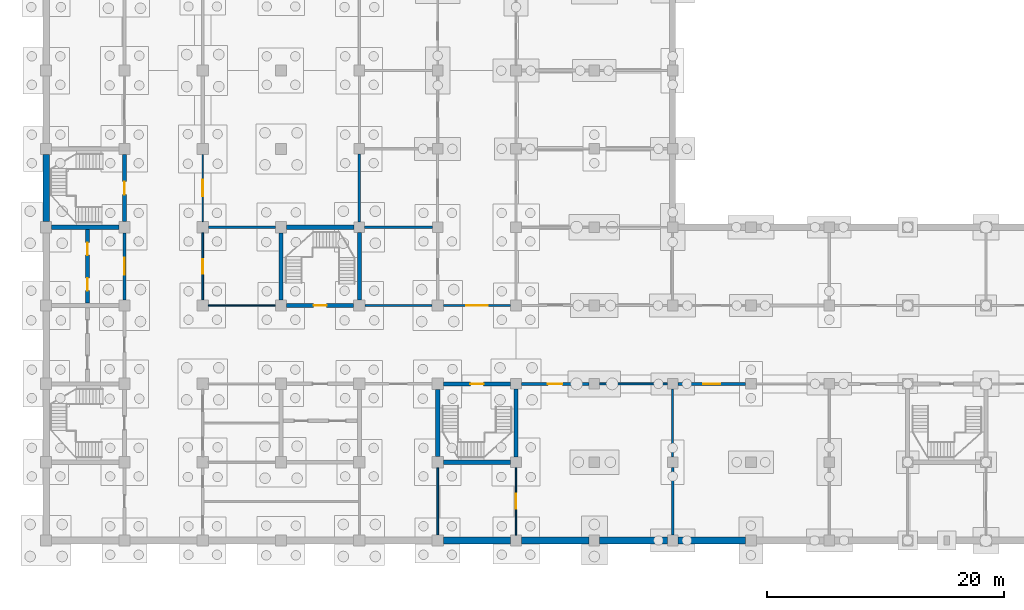
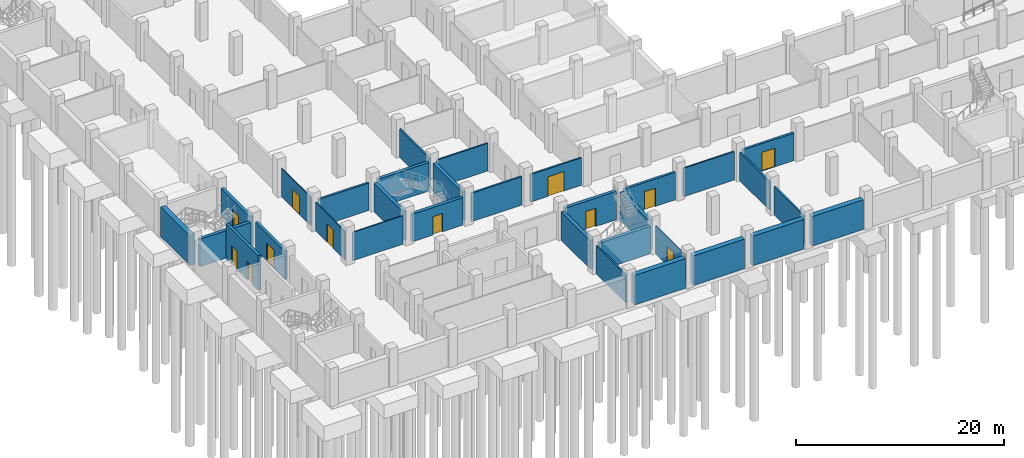
# One storey, part 8 of 18: 32 walls, 12 doors, 12 openings.
"""IFC4 building model written with IfcOpenShell, lengths in metres."""

from ifc_helpers import new_model, si_unit, direction, frame, frame_2d, origin, place, context, subcontext, project, spatial, rectangle, extrude, material, layer, layer_set, type_object, element, fill, save


model = new_model("IFC4")

# Units and contexts
model_context = context("Model", 3, precision=1e-05, world=origin(), true_north=direction((0.0, 1.0)))
body_context = subcontext(model_context, "Body", "Model", "MODEL_VIEW")
ifc_project = project(units=[si_unit("LENGTHUNIT", "METRE"), si_unit("AREAUNIT", "SQUARE_METRE"), si_unit("VOLUMEUNIT", "CUBIC_METRE"), si_unit("PLANEANGLEUNIT", "RADIAN"), si_unit("MASSUNIT", "GRAM", prefix="KILO")], contexts=[model_context])

# Site, building, storey
site_placement = place(None, origin())
site = spatial("IfcSite", under=ifc_project, at=site_placement, CompositionType="ELEMENT")
building_placement = place(site_placement, origin())
building = spatial("IfcBuilding", under=site, at=building_placement, Name="Rusizi Kubbe Research Institute", CompositionType="ELEMENT")
storey_placement = place(building_placement, frame((0.0, 0.0, -4.5)))
storey = spatial("IfcBuildingStorey", under=building, at=storey_placement, Name="B01", CompositionType="ELEMENT", Elevation=-4.5)

# Wall
ifc_material_1 = material(Name="Concrete C45/55", Category="concrete")
ifc_layer_1 = layer(ifc_material_1, 0.35009765625)
ifc_layer_set_1 = layer_set([ifc_layer_1], Name="Concrete C45/55")
wall_type_1 = type_object("IfcWallType", Name="CRW-01", PredefinedType="SHEAR", material=ifc_layer_set_1)
wall_1_placement = place(storey_placement, frame((0.47509765625, 26.39990234375, 0.0), z_axis=(0.0, 0.0, 1.0), x_axis=(1.0, 0.0, 0.0)))
element("IfcWall", 1, at=wall_1_placement, inside=storey, type_object=wall_type_1, Name="Stair Core Shear Wall ST2 B01 S", PredefinedType="SHEAR", context=body_context, shape_type="SweptSolid", body=[
    extrude(rectangle(XDim=5.64990234375, YDim=0.35009765625, at=frame_2d((2.824951171875, 0.0))), origin(), (0.0, 0.0, 1.0), 3.239990234375),
])

# Wall, opening, door
wall_2_placement = place(storey_placement, frame((6.60009765625, 26.875, 0.0), z_axis=(0.0, 0.0, 1.0), x_axis=(0.0, 1.0, 0.0)))
wall_2 = element("IfcWall", 2, at=wall_2_placement, inside=storey, type_object=wall_type_1, Name="Stair Core Shear Wall ST2 B01 E", PredefinedType="SHEAR", context=body_context, shape_type="SweptSolid", body=[
    extrude(rectangle(XDim=5.64990234375, YDim=0.35009765625, at=frame_2d((2.824951171875, 0.0))), origin(), (0.0, 0.0, 1.0), 3.340087890625),
])
opening_1_placement = place(wall_2_placement, frame((2.27490234375, 0.0, 0.0)))
opening_1 = element("IfcOpeningElement", 3, at=opening_1_placement, cuts=wall_2, Name="Opening D-01", PredefinedType="OPENING", context=body_context, shape_type="SweptSolid", body=[
    extrude(rectangle(XDim=1.10009765625, YDim=2.14990234375, at=frame_2d((0.550048828125, 1.074951171875))), frame((0.0, 0.18505859375, 0.0), z_axis=(0.0, -1.0, 0.0), x_axis=(1.0, 0.0, 0.0)), (0.0, 0.0, 1.0), 0.3701171875),
])
ifc_material_2 = material(Name="Fire-Rated Steel Frame and Acoustic Timber Leaf", Category="wood")
door_type_1 = type_object("IfcDoorType", Name="ID-STAIR-110", OperationType="NOTDEFINED", PredefinedType="DOOR", material=ifc_material_2)
door_1_placement = place(opening_1_placement, origin())
door_1 = element("IfcDoor", 4, at=door_1_placement, inside=storey, type_object=door_type_1, Name="Exit Stair Door ST2 B01", OperationType="SINGLE_SWING_LEFT", OverallHeight=2.14990234375, OverallWidth=1.10009765625, PredefinedType="DOOR", context=body_context, shape_type="SweptSolid", body=[
    extrude(rectangle(XDim=1.10009765625, YDim=2.14990234375, at=frame_2d((0.550048828125, 1.074951171875))), frame((0.0, 0.02490234375, 0.0), z_axis=(0.0, -1.0, 0.0), x_axis=(1.0, 0.0, 0.0)), (0.0, 0.0, 1.0), 0.050048828125),
])
fill(opening_1, door_1)

wall_3_placement = place(storey_placement, frame((20.27490234375, 19.800048828125, 0.0), z_axis=(0.0, 0.0, 1.0), x_axis=(1.0, 0.0, 0.0)))
wall_3 = element("IfcWall", 5, at=wall_3_placement, inside=storey, type_object=wall_type_1, Name="Stair Core Shear Wall ST3 B01 S", PredefinedType="SHEAR", context=body_context, shape_type="SweptSolid", body=[
    extrude(rectangle(XDim=5.650146484375, YDim=0.35009765625, at=frame_2d((2.8251953125, 0.0))), origin(), (0.0, 0.0, 1.0), 3.239990234375),
])
opening_2_placement = place(wall_3_placement, frame((2.27490234375, 0.0, 0.0)))
opening_2 = element("IfcOpeningElement", 6, at=opening_2_placement, cuts=wall_3, Name="Opening D-01", PredefinedType="OPENING", context=body_context, shape_type="SweptSolid", body=[
    extrude(rectangle(XDim=1.10009765625, YDim=2.14990234375, at=frame_2d((0.550048828125, 1.074951171875))), frame((0.0, 0.18505859375, 0.0), z_axis=(0.0, -1.0, 0.0), x_axis=(1.0, 0.0, 0.0)), (0.0, 0.0, 1.0), 0.3701171875),
])
door_2_placement = place(opening_2_placement, origin())
door_2 = element("IfcDoor", 7, at=door_2_placement, inside=storey, type_object=door_type_1, Name="Exit Stair Door ST3 B01", OperationType="SINGLE_SWING_LEFT", OverallHeight=2.14990234375, OverallWidth=1.10009765625, PredefinedType="DOOR", context=body_context, shape_type="SweptSolid", body=[
    extrude(rectangle(XDim=1.10009765625, YDim=2.14990234375, at=frame_2d((0.550048828125, 1.074951171875))), frame((0.0, 0.02490234375, 0.0), z_axis=(0.0, -1.0, 0.0), x_axis=(1.0, 0.0, 0.0)), (0.0, 0.0, 1.0), 0.050048828125),
])
fill(opening_2, door_2)

# Walls
wall_4_placement = place(storey_placement, frame((20.27490234375, 26.39990234375, 0.0), z_axis=(0.0, 0.0, 1.0), x_axis=(1.0, 0.0, 0.0)))
element("IfcWall", 8, at=wall_4_placement, inside=storey, type_object=wall_type_1, Name="Stair Core Shear Wall ST3 B01 N", PredefinedType="SHEAR", context=body_context, shape_type="SweptSolid", body=[
    extrude(rectangle(XDim=5.675048828125, YDim=0.35009765625, at=frame_2d((2.83740234375, 0.0))), origin(), (0.0, 0.0, 1.0), 3.340087890625),
])
wall_5_placement = place(storey_placement, frame((19.800048828125, 20.27490234375, 0.0), z_axis=(0.0, 0.0, 1.0), x_axis=(0.0, 1.0, 0.0)))
element("IfcWall", 9, at=wall_5_placement, inside=storey, type_object=wall_type_1, Name="Stair Core Shear Wall ST3 B01 W", PredefinedType="SHEAR", context=body_context, shape_type="SweptSolid", body=[
    extrude(rectangle(XDim=5.650146484375, YDim=0.35009765625, at=frame_2d((2.8251953125, 0.0))), origin(), (0.0, 0.0, 1.0), 3.340087890625),
])
wall_6_placement = place(storey_placement, frame((26.39990234375, 20.27490234375, 0.0), z_axis=(0.0, 0.0, 1.0), x_axis=(0.0, 1.0, 0.0)))
element("IfcWall", 10, at=wall_6_placement, inside=storey, type_object=wall_type_1, Name="Stair Core Shear Wall ST3 B01 E", PredefinedType="SHEAR", context=body_context, shape_type="SweptSolid", body=[
    extrude(rectangle(XDim=5.675048828125, YDim=0.35009765625, at=frame_2d((2.83740234375, 0.0))), origin(), (0.0, 0.0, 1.0), 3.340087890625),
])
wall_7_placement = place(storey_placement, frame((33.47509765625, 6.60009765625, 0.0), z_axis=(0.0, 0.0, 1.0), x_axis=(1.0, 0.0, 0.0)))
element("IfcWall", 11, at=wall_7_placement, inside=storey, type_object=wall_type_1, Name="Stair Core Shear Wall ST4 B01 S", PredefinedType="SHEAR", context=body_context, shape_type="SweptSolid", body=[
    extrude(rectangle(XDim=5.6748046875, YDim=0.35009765625, at=frame_2d((2.83740234375, 0.0))), origin(), (0.0, 0.0, 1.0), 3.239990234375),
])

# Wall, opening, door
wall_8_placement = place(storey_placement, frame((33.47509765625, 13.199951171875, 0.0), z_axis=(0.0, 0.0, 1.0), x_axis=(1.0, 0.0, 0.0)))
wall_8 = element("IfcWall", 12, at=wall_8_placement, inside=storey, type_object=wall_type_1, Name="Stair Core Shear Wall ST4 B01 N", PredefinedType="SHEAR", context=body_context, shape_type="SweptSolid", body=[
    extrude(rectangle(XDim=5.6748046875, YDim=0.35009765625, at=frame_2d((2.83740234375, 0.0))), origin(), (0.0, 0.0, 1.0), 3.340087890625),
])
opening_3_placement = place(wall_8_placement, frame((2.28759765625, 0.0, 0.0)))
opening_3 = element("IfcOpeningElement", 13, at=opening_3_placement, cuts=wall_8, Name="Opening D-01", PredefinedType="OPENING", context=body_context, shape_type="SweptSolid", body=[
    extrude(rectangle(XDim=1.10009765625, YDim=2.14990234375, at=frame_2d((0.550048828125, 1.074951171875))), frame((0.0, 0.18505859375, 0.0), z_axis=(0.0, -1.0, 0.0), x_axis=(1.0, 0.0, 0.0)), (0.0, 0.0, 1.0), 0.3701171875),
])
door_3_placement = place(opening_3_placement, origin())
door_3 = element("IfcDoor", 14, at=door_3_placement, inside=storey, type_object=door_type_1, Name="Exit Stair Door ST4 B01", OperationType="SINGLE_SWING_LEFT", OverallHeight=2.14990234375, OverallWidth=1.10009765625, PredefinedType="DOOR", context=body_context, shape_type="SweptSolid", body=[
    extrude(rectangle(XDim=1.10009765625, YDim=2.14990234375, at=frame_2d((0.550048828125, 1.074951171875))), frame((0.0, 0.02490234375, 0.0), z_axis=(0.0, -1.0, 0.0), x_axis=(1.0, 0.0, 0.0)), (0.0, 0.0, 1.0), 0.050048828125),
])
fill(opening_3, door_3)

# Walls
wall_9_placement = place(storey_placement, frame((33.0, 7.074951171875, 0.0), z_axis=(0.0, 0.0, 1.0), x_axis=(0.0, 1.0, 0.0)))
element("IfcWall", 15, at=wall_9_placement, inside=storey, type_object=wall_type_1, Name="Stair Core Shear Wall ST4 B01 W", PredefinedType="SHEAR", context=body_context, shape_type="SweptSolid", body=[
    extrude(rectangle(XDim=5.650146484375, YDim=0.35009765625, at=frame_2d((2.8251953125, 0.0))), origin(), (0.0, 0.0, 1.0), 3.340087890625),
])
wall_10_placement = place(storey_placement, frame((39.60009765625, 7.050048828125, 0.0), z_axis=(0.0, 0.0, 1.0), x_axis=(0.0, 1.0, 0.0)))
element("IfcWall", 16, at=wall_10_placement, inside=storey, type_object=wall_type_1, Name="Stair Core Shear Wall ST4 B01 E", PredefinedType="SHEAR", context=body_context, shape_type="SweptSolid", body=[
    extrude(rectangle(XDim=5.699951171875, YDim=0.35009765625, at=frame_2d((2.85009765625, 0.0))), origin(), (0.0, 0.0, 1.0), 3.340087890625),
])

# Wall, openings, doors
ifc_material_3 = material(Name="Concrete C45/55", Category="concrete")
ifc_layer_2 = layer(ifc_material_3, 0.31494140625)
ifc_layer_set_2 = layer_set([ifc_layer_2], Name="Concrete C45/55")
wall_type_2 = type_object("IfcWallType", Name="CRW-02", PredefinedType="SHEAR", material=ifc_layer_set_2)
wall_11_placement = place(storey_placement, frame((3.47998046875, 20.0, 0.0), z_axis=(0.0, 0.0, 1.0), x_axis=(0.0, 1.0, 0.0)))
wall_11 = element("IfcWall", 17, at=wall_11_placement, inside=storey, type_object=wall_type_2, Name="Passenger Lift Shaft Front Wall B01", PredefinedType="SHEAR", context=body_context, shape_type="SweptSolid", body=[
    extrude(rectangle(XDim=6.199951171875, YDim=0.31494140625, at=frame_2d((3.10009765625, 0.0))), origin(), (0.0, 0.0, 1.0), 4.090087890625),
])
opening_4_placement = place(wall_11_placement, frame((1.050048828125, 0.0, 0.0)))
opening_4 = element("IfcOpeningElement", 18, at=opening_4_placement, cuts=wall_11, Name="Opening LD-03", PredefinedType="OPENING", context=body_context, shape_type="SweptSolid", body=[
    extrude(rectangle(XDim=1.050048828125, YDim=2.14990234375, at=frame_2d((0.52490234375, 1.074951171875))), frame((0.0, 0.16748046875, 0.0), z_axis=(0.0, -1.0, 0.0), x_axis=(1.0, 0.0, 0.0)), (0.0, 0.0, 1.0), 0.3349609375),
])
opening_5_placement = place(wall_11_placement, frame((4.050048828125, 0.0, 0.0)))
opening_5 = element("IfcOpeningElement", 19, at=opening_5_placement, cuts=wall_11, Name="Opening LD-04", PredefinedType="OPENING", context=body_context, shape_type="SweptSolid", body=[
    extrude(rectangle(XDim=1.06005859375, YDim=2.14990234375, at=frame_2d((0.530029296875, 1.074951171875))), frame((0.0, 0.16748046875, 0.0), z_axis=(0.0, -1.0, 0.0), x_axis=(1.0, 0.0, 0.0)), (0.0, 0.0, 1.0), 0.3349609375),
])
ifc_material_4 = material(Name="Brushed Stainless Steel Sliding Door", Category="steel")
door_type_2 = type_object("IfcDoorType", Name="LD-03", OperationType="DOUBLE_DOOR_SLIDING", PredefinedType="USERDEFINED", material=ifc_material_4)
door_4_placement = place(opening_4_placement, origin())
door_4 = element("IfcDoor", 20, at=door_4_placement, inside=storey, type_object=door_type_2, Name="Lift Landing Sliding Door LP1 B01", ObjectType="SLIDING DOOR", OperationType="DOUBLE_DOOR_SLIDING", OverallHeight=2.14990234375, OverallWidth=1.050048828125, PredefinedType="USERDEFINED", context=body_context, shape_type="SweptSolid", body=[
    extrude(rectangle(XDim=1.050048828125, YDim=2.14990234375, at=frame_2d((0.52490234375, 1.074951171875))), frame((0.0, 0.02490234375, 0.0), z_axis=(0.0, -1.0, 0.0), x_axis=(1.0, 0.0, 0.0)), (0.0, 0.0, 1.0), 0.050048828125),
])
fill(opening_4, door_4)
ifc_material_5 = material(Name="Brushed Stainless Steel Sliding Door", Category="steel")
door_type_3 = type_object("IfcDoorType", Name="LD-04", OperationType="DOUBLE_DOOR_SLIDING", PredefinedType="USERDEFINED", material=ifc_material_5)
door_5_placement = place(opening_5_placement, origin())
door_5 = element("IfcDoor", 21, at=door_5_placement, inside=storey, type_object=door_type_3, Name="Lift Landing Sliding Door LP2 B01", ObjectType="SLIDING DOOR", OperationType="DOUBLE_DOOR_SLIDING", OverallHeight=2.14990234375, OverallWidth=1.06005859375, PredefinedType="USERDEFINED", context=body_context, shape_type="SweptSolid", body=[
    extrude(rectangle(XDim=1.06005859375, YDim=2.14990234375, at=frame_2d((0.530029296875, 1.074951171875))), frame((0.0, 0.02490234375, 0.0), z_axis=(0.0, -1.0, 0.0), x_axis=(1.0, 0.0, 0.0)), (0.0, 0.0, 1.0), 0.050048828125),
])
fill(opening_5, door_5)

# Walls
ifc_material_6 = material(Name="Concrete Blockwork Fire Partition", Category="masonry")
ifc_layer_3 = layer(ifc_material_6, 0.22509765625)
ifc_layer_set_3 = layer_set([ifc_layer_3], Name="Concrete Blockwork Fire Partition")
wall_type_3 = type_object("IfcWallType", Name="IW-01", PredefinedType="PARTITIONING", material=ifc_layer_set_3)
wall_12_placement = place(storey_placement, frame((13.675048828125, 26.39990234375, 0.0), z_axis=(0.0, 0.0, 1.0), x_axis=(1.0, 0.0, 0.0)))
element("IfcWall", 22, at=wall_12_placement, inside=storey, type_object=wall_type_3, Name="Interior Partition Wall B01 H2-4", PredefinedType="PARTITIONING", context=body_context, shape_type="SweptSolid", body=[
    extrude(rectangle(XDim=5.64990234375, YDim=0.22509765625, at=frame_2d((2.824951171875, 0.0))), origin(), (0.0, 0.0, 1.0), 3.239990234375),
])
ifc_material_7 = material(Name="Insulated Cleanroom Partition", Category="masonry")
ifc_layer_4 = layer(ifc_material_7, 0.195068359375)
ifc_layer_set_4 = layer_set([ifc_layer_4], Name="Insulated Cleanroom Partition")
wall_type_4 = type_object("IfcWallType", Name="IW-02", PredefinedType="PARTITIONING", material=ifc_layer_set_4)
wall_13_placement = place(storey_placement, frame((26.39990234375, 26.85009765625, 0.0), z_axis=(0.0, 0.0, 1.0), x_axis=(0.0, 1.0, 0.0)))
element("IfcWall", 23, at=wall_13_placement, inside=storey, type_object=wall_type_4, Name="Interior Partition Wall B01 V4-4", PredefinedType="PARTITIONING", context=body_context, shape_type="SweptSolid", body=[
    extrude(rectangle(XDim=5.699951171875, YDim=0.195068359375, at=frame_2d((2.85009765625, 0.0))), origin(), (0.0, 0.0, 1.0), 3.340087890625),
])
wall_14_placement = place(storey_placement, frame((26.875, 19.800048828125, 0.0), z_axis=(0.0, 0.0, 1.0), x_axis=(1.0, 0.0, 0.0)))
element("IfcWall", 24, at=wall_14_placement, inside=storey, type_object=wall_type_4, Name="Interior Partition Wall B01 H4-3", PredefinedType="PARTITIONING", context=body_context, shape_type="SweptSolid", body=[
    extrude(rectangle(XDim=5.64990234375, YDim=0.195068359375, at=frame_2d((2.824951171875, 0.0))), origin(), (0.0, 0.0, 1.0), 3.340087890625),
])
wall_15_placement = place(storey_placement, frame((52.800048828125, 0.449951171875, 0.0), z_axis=(0.0, 0.0, 1.0), x_axis=(0.0, 1.0, 0.0)))
element("IfcWall", 25, at=wall_15_placement, inside=storey, type_object=wall_type_4, Name="Interior Partition Wall B01 V8-0", PredefinedType="PARTITIONING", context=body_context, shape_type="SweptSolid", body=[
    extrude(rectangle(XDim=5.699951171875, YDim=0.195068359375, at=frame_2d((2.85009765625, 0.0))), origin(), (0.0, 0.0, 1.0), 3.340087890625),
])
ifc_material_8 = material(Name="Acoustic Laboratory Partition", Category="masonry")
ifc_layer_5 = layer(ifc_material_8, 0.175048828125)
ifc_layer_set_5 = layer_set([ifc_layer_5], Name="Acoustic Laboratory Partition")
wall_type_5 = type_object("IfcWallType", Name="IW-03", PredefinedType="PARTITIONING", material=ifc_layer_set_5)
wall_16_placement = place(storey_placement, frame((26.85009765625, 26.39990234375, 0.0), z_axis=(0.0, 0.0, 1.0), x_axis=(1.0, 0.0, 0.0)))
element("IfcWall", 26, at=wall_16_placement, inside=storey, type_object=wall_type_5, Name="Interior Partition Wall B01 H4-4", PredefinedType="PARTITIONING", context=body_context, shape_type="SweptSolid", body=[
    extrude(rectangle(XDim=5.699951171875, YDim=0.175048828125, at=frame_2d((2.85009765625, 0.0))), origin(), (0.0, 0.0, 1.0), 3.239990234375),
])

# Wall, opening, door
wall_17_placement = place(storey_placement, frame((33.47509765625, 19.800048828125, 0.0), z_axis=(0.0, 0.0, 1.0), x_axis=(1.0, 0.0, 0.0)))
wall_17 = element("IfcWall", 27, at=wall_17_placement, inside=storey, type_object=wall_type_5, Name="Interior Partition Wall B01 H5-3", PredefinedType="PARTITIONING", context=body_context, shape_type="SweptSolid", body=[
    extrude(rectangle(XDim=5.6748046875, YDim=0.175048828125, at=frame_2d((2.83740234375, 0.0))), origin(), (0.0, 0.0, 1.0), 3.239990234375),
])
opening_6_placement = place(wall_17_placement, frame((1.925048828125, 0.0, 0.0)))
opening_6 = element("IfcOpeningElement", 28, at=opening_6_placement, cuts=wall_17, Name="Opening D-08", PredefinedType="OPENING", context=body_context, shape_type="SweptSolid", body=[
    extrude(rectangle(XDim=1.800048828125, YDim=2.300048828125, at=frame_2d((0.89990234375, 1.14990234375))), frame((0.0, 0.097412109375, 0.0), z_axis=(0.0, -1.0, 0.0), x_axis=(1.0, 0.0, 0.0)), (0.0, 0.0, 1.0), 0.195068359375),
])
ifc_material_9 = material(Name="Fire-Rated Steel Frame and Acoustic Timber Leaf", Category="wood")
door_type_4 = type_object("IfcDoorType", Name="ID-DBL-180", OperationType="DOUBLE_DOOR_SINGLE_SWING", PredefinedType="DOOR", material=ifc_material_9)
door_6_placement = place(opening_6_placement, origin())
door_6 = element("IfcDoor", 29, at=door_6_placement, inside=storey, type_object=door_type_4, Name="Door to Revak Cloister Gallery (B01-GAL-01)", OperationType="DOUBLE_DOOR_SINGLE_SWING", OverallHeight=2.300048828125, OverallWidth=1.800048828125, PredefinedType="DOOR", context=body_context, shape_type="SweptSolid", body=[
    extrude(rectangle(XDim=1.800048828125, YDim=2.300048828125, at=frame_2d((0.89990234375, 1.14990234375))), frame((0.0, 0.02490234375, 0.0), z_axis=(0.0, -1.0, 0.0), x_axis=(1.0, 0.0, 0.0)), (0.0, 0.0, 1.0), 0.050048828125),
])
fill(opening_6, door_6)

# Walls
wall_18_placement = place(storey_placement, frame((52.800048828125, 7.050048828125, 0.0), z_axis=(0.0, 0.0, 1.0), x_axis=(0.0, 1.0, 0.0)))
element("IfcWall", 30, at=wall_18_placement, inside=storey, type_object=wall_type_5, Name="Interior Partition Wall B01 V8-1", PredefinedType="PARTITIONING", context=body_context, shape_type="SweptSolid", body=[
    extrude(rectangle(XDim=5.699951171875, YDim=0.175048828125, at=frame_2d((2.85009765625, 0.0))), origin(), (0.0, 0.0, 1.0), 3.340087890625),
])
ifc_material_10 = material(Name="Fire-Rated Corridor Partition", Category="masonry")
ifc_layer_6 = layer(ifc_material_10, 0.155029296875)
ifc_layer_set_6 = layer_set([ifc_layer_6], Name="Fire-Rated Corridor Partition")
wall_type_6 = type_object("IfcWallType", Name="IW-04", PredefinedType="PARTITIONING", material=ifc_layer_set_6)
wall_19_placement = place(storey_placement, frame((46.64990234375, 13.199951171875, 0.0), z_axis=(0.0, 0.0, 1.0), x_axis=(1.0, 0.0, 0.0)))
element("IfcWall", 31, at=wall_19_placement, inside=storey, type_object=wall_type_6, Name="Interior Partition Wall B01 H7-2", PredefinedType="PARTITIONING", context=body_context, shape_type="SweptSolid", body=[
    extrude(rectangle(XDim=5.7001953125, YDim=0.155029296875, at=frame_2d((2.85009765625, 0.0))), origin(), (0.0, 0.0, 1.0), 3.340087890625),
])

# Wall, opening, door
ifc_material_11 = material(Name="Write-up Glazed Acoustic Partition", Category="masonry")
ifc_layer_7 = layer(ifc_material_11, 0.139892578125)
ifc_layer_set_7 = layer_set([ifc_layer_7], Name="Write-up Glazed Acoustic Partition")
wall_type_7 = type_object("IfcWallType", Name="IW-05", PredefinedType="PARTITIONING", material=ifc_layer_set_7)
wall_20_placement = place(storey_placement, frame((13.199951171875, 20.27490234375, 0.0), z_axis=(0.0, 0.0, 1.0), x_axis=(0.0, 1.0, 0.0)))
wall_20 = element("IfcWall", 32, at=wall_20_placement, inside=storey, type_object=wall_type_7, Name="Interior Partition Wall B01 V2-3", PredefinedType="PARTITIONING", context=body_context, shape_type="SweptSolid", body=[
    extrude(rectangle(XDim=5.650146484375, YDim=0.139892578125, at=frame_2d((2.8251953125, 0.0))), origin(), (0.0, 0.0, 1.0), 3.340087890625),
])
opening_7_placement = place(wall_20_placement, frame((2.215087890625, 0.0, 0.0)))
opening_7 = element("IfcOpeningElement", 33, at=opening_7_placement, cuts=wall_20, Name="Opening D-21", PredefinedType="OPENING", context=body_context, shape_type="SweptSolid", body=[
    extrude(rectangle(XDim=1.219970703125, YDim=2.14990234375, at=frame_2d((0.60986328125, 1.074951171875))), frame((0.0, 0.079833984375, 0.0), z_axis=(0.0, -1.0, 0.0), x_axis=(1.0, 0.0, 0.0)), (0.0, 0.0, 1.0), 0.159912109375),
])
ifc_material_12 = material(Name="Fire-Rated Steel Frame and Acoustic Timber Leaf", Category="wood")
door_type_5 = type_object("IfcDoorType", Name="ID-STR-122", OperationType="NOTDEFINED", PredefinedType="DOOR", material=ifc_material_12)
door_7_placement = place(opening_7_placement, origin())
door_7 = element("IfcDoor", 34, at=door_7_placement, inside=storey, type_object=door_type_5, Name="Door to Basement Vehicle Parking Hall (B01-NW-01)", OperationType="SINGLE_SWING_RIGHT", OverallHeight=2.14990234375, OverallWidth=1.219970703125, PredefinedType="DOOR", context=body_context, shape_type="SweptSolid", body=[
    extrude(rectangle(XDim=1.219970703125, YDim=2.14990234375, at=frame_2d((0.60986328125, 1.074951171875))), frame((0.0, 0.02490234375, 0.0), z_axis=(0.0, -1.0, 0.0), x_axis=(1.0, 0.0, 0.0)), (0.0, 0.0, 1.0), 0.050048828125),
])
fill(opening_7, door_7)

# Wall
wall_21_placement = place(storey_placement, frame((33.0, 0.47509765625, 0.0), z_axis=(0.0, 0.0, 1.0), x_axis=(0.0, 1.0, 0.0)))
element("IfcWall", 35, at=wall_21_placement, inside=storey, type_object=wall_type_7, Name="Interior Partition Wall B01 V5-0", PredefinedType="PARTITIONING", context=body_context, shape_type="SweptSolid", body=[
    extrude(rectangle(XDim=5.64990234375, YDim=0.139892578125, at=frame_2d((2.824951171875, 0.0))), origin(), (0.0, 0.0, 1.0), 3.340087890625),
])

# Wall, opening, door
ifc_material_13 = material(Name="Sub-Suite Fire Partition", Category="masonry")
ifc_layer_8 = layer(ifc_material_13, 0.110107421875)
ifc_layer_set_8 = layer_set([ifc_layer_8], Name="Sub-Suite Fire Partition")
wall_type_8 = type_object("IfcWallType", Name="IW-07", PredefinedType="PARTITIONING", material=ifc_layer_set_8)
wall_22_placement = place(storey_placement, frame((13.199951171875, 26.875, 0.0), z_axis=(0.0, 0.0, 1.0), x_axis=(0.0, 1.0, 0.0)))
wall_22 = element("IfcWall", 36, at=wall_22_placement, inside=storey, type_object=wall_type_8, Name="Interior Partition Wall B01 V2-4", PredefinedType="PARTITIONING", context=body_context, shape_type="SweptSolid", body=[
    extrude(rectangle(XDim=5.64990234375, YDim=0.110107421875, at=frame_2d((2.824951171875, 0.0))), origin(), (0.0, 0.0, 1.0), 3.340087890625),
])
opening_8_placement = place(wall_22_placement, frame((2.114990234375, 0.0, 0.0)))
opening_8 = element("IfcOpeningElement", 37, at=opening_8_placement, cuts=wall_22, Name="Opening D-22", PredefinedType="OPENING", context=body_context, shape_type="SweptSolid", body=[
    extrude(rectangle(XDim=1.419921875, YDim=2.199951171875, at=frame_2d((0.7099609375, 1.10009765625))), frame((0.0, 0.06494140625, 0.0), z_axis=(0.0, -1.0, 0.0), x_axis=(1.0, 0.0, 0.0)), (0.0, 0.0, 1.0), 0.130126953125),
])
ifc_material_14 = material(Name="Fire-Rated Steel Frame and Acoustic Timber Leaf", Category="wood")
door_type_6 = type_object("IfcDoorType", Name="ID-STR-142", OperationType="DOUBLE_DOOR_SINGLE_SWING", PredefinedType="DOOR", material=ifc_material_14)
door_8_placement = place(opening_8_placement, origin())
door_8 = element("IfcDoor", 38, at=door_8_placement, inside=storey, type_object=door_type_6, Name="Door to Basement Vehicle Parking Hall (B01-NW-02)", OperationType="DOUBLE_DOOR_SINGLE_SWING", OverallHeight=2.199951171875, OverallWidth=1.419921875, PredefinedType="DOOR", context=body_context, shape_type="SweptSolid", body=[
    extrude(rectangle(XDim=1.419921875, YDim=2.199951171875, at=frame_2d((0.7099609375, 1.10009765625))), frame((0.0, 0.02490234375, 0.0), z_axis=(0.0, -1.0, 0.0), x_axis=(1.0, 0.0, 0.0)), (0.0, 0.0, 1.0), 0.050048828125),
])
fill(opening_8, door_8)

# Wall
wall_23_placement = place(storey_placement, frame((13.675048828125, 19.800048828125, 0.0), z_axis=(0.0, 0.0, 1.0), x_axis=(1.0, 0.0, 0.0)))
element("IfcWall", 39, at=wall_23_placement, inside=storey, type_object=wall_type_8, Name="Interior Partition Wall B01 H2-3", PredefinedType="PARTITIONING", context=body_context, shape_type="SweptSolid", body=[
    extrude(rectangle(XDim=5.64990234375, YDim=0.110107421875, at=frame_2d((2.824951171875, 0.0))), origin(), (0.0, 0.0, 1.0), 3.340087890625),
])

# Wall, opening, door
wall_24_placement = place(storey_placement, frame((39.60009765625, 0.449951171875, 0.0), z_axis=(0.0, 0.0, 1.0), x_axis=(0.0, 1.0, 0.0)))
wall_24 = element("IfcWall", 40, at=wall_24_placement, inside=storey, type_object=wall_type_8, Name="Interior Partition Wall B01 V6-0", PredefinedType="PARTITIONING", context=body_context, shape_type="SweptSolid", body=[
    extrude(rectangle(XDim=5.699951171875, YDim=0.110107421875, at=frame_2d((2.85009765625, 0.0))), origin(), (0.0, 0.0, 1.0), 3.340087890625),
])
opening_9_placement = place(wall_24_placement, frame((2.22509765625, 0.0, 0.0)))
opening_9 = element("IfcOpeningElement", 41, at=opening_9_placement, cuts=wall_24, Name="Opening D-15", PredefinedType="OPENING", context=body_context, shape_type="SweptSolid", body=[
    extrude(rectangle(XDim=1.25, YDim=2.25, at=frame_2d((0.625, 1.125))), frame((0.0, 0.06494140625, 0.0), z_axis=(0.0, -1.0, 0.0), x_axis=(1.0, 0.0, 0.0)), (0.0, 0.0, 1.0), 0.130126953125),
])
ifc_material_15 = material(Name="Fire-Rated Steel Frame and Acoustic Timber Leaf", Category="wood")
door_type_7 = type_object("IfcDoorType", Name="ID-LAB-125", OperationType="NOTDEFINED", PredefinedType="DOOR", material=ifc_material_15)
door_9_placement = place(opening_9_placement, origin())
door_9 = element("IfcDoor", 42, at=door_9_placement, inside=storey, type_object=door_type_7, Name="Door to Laboratory Instrument Support Room (B01-EWU-05)", OperationType="SINGLE_SWING_LEFT", OverallHeight=2.25, OverallWidth=1.25, PredefinedType="DOOR", context=body_context, shape_type="SweptSolid", body=[
    extrude(rectangle(XDim=1.25, YDim=2.25, at=frame_2d((0.625, 1.125))), frame((0.0, 0.02490234375, 0.0), z_axis=(0.0, -1.0, 0.0), x_axis=(1.0, 0.0, 0.0)), (0.0, 0.0, 1.0), 0.050048828125),
])
fill(opening_9, door_9)

# Walls
ifc_material_16 = material(Name="Concrete C45/55", Category="concrete")
ifc_layer_9 = layer(ifc_material_16, 0.56005859375)
ifc_layer_set_9 = layer_set([ifc_layer_9], Name="Concrete C45/55")
wall_type_9 = type_object("IfcWallType", Name="RW-01", PredefinedType="USERDEFINED", material=ifc_layer_set_9)
wall_25_placement = place(storey_placement, frame((0.0, 26.875, 0.0), z_axis=(0.0, 0.0, 1.0), x_axis=(0.0, 1.0, 0.0)))
element("IfcWall", 43, at=wall_25_placement, inside=storey, type_object=wall_type_9, Name="Basement Retaining Wall B01 V0-4", ObjectType="RETAINING WALL", PredefinedType="USERDEFINED", context=body_context, shape_type="SweptSolid", body=[
    extrude(rectangle(XDim=5.64990234375, YDim=0.56005859375, at=frame_2d((2.824951171875, 0.0))), origin(), (0.0, 0.0, 1.0), 3.489990234375),
])
wall_26_placement = place(storey_placement, frame((33.47509765625, 0.0, 0.0), z_axis=(0.0, 0.0, 1.0), x_axis=(1.0, 0.0, 0.0)))
element("IfcWall", 44, at=wall_26_placement, inside=storey, type_object=wall_type_9, Name="Basement Retaining Wall B01 H5-0", ObjectType="RETAINING WALL", PredefinedType="USERDEFINED", context=body_context, shape_type="SweptSolid", body=[
    extrude(rectangle(XDim=5.6748046875, YDim=0.56005859375, at=frame_2d((2.83740234375, 0.0))), origin(), (0.0, 0.0, 1.0), 3.489990234375),
])
wall_27_placement = place(storey_placement, frame((40.050048828125, 0.0, 0.0), z_axis=(0.0, 0.0, 1.0), x_axis=(1.0, 0.0, 0.0)))
element("IfcWall", 45, at=wall_27_placement, inside=storey, type_object=wall_type_9, Name="Basement Retaining Wall B01 H6-0", ObjectType="RETAINING WALL", PredefinedType="USERDEFINED", context=body_context, shape_type="SweptSolid", body=[
    extrude(rectangle(XDim=5.699951171875, YDim=0.56005859375, at=frame_2d((2.85009765625, 0.0))), origin(), (0.0, 0.0, 1.0), 3.489990234375),
])
wall_28_placement = place(storey_placement, frame((46.64990234375, 0.0, 0.0), z_axis=(0.0, 0.0, 1.0), x_axis=(1.0, 0.0, 0.0)))
element("IfcWall", 46, at=wall_28_placement, inside=storey, type_object=wall_type_9, Name="Basement Retaining Wall B01 H7-0", ObjectType="RETAINING WALL", PredefinedType="USERDEFINED", context=body_context, shape_type="SweptSolid", body=[
    extrude(rectangle(XDim=5.7001953125, YDim=0.56005859375, at=frame_2d((2.85009765625, 0.0))), origin(), (0.0, 0.0, 1.0), 3.489990234375),
])
wall_29_placement = place(storey_placement, frame((53.25, 0.0, 0.0), z_axis=(0.0, 0.0, 1.0), x_axis=(1.0, 0.0, 0.0)))
element("IfcWall", 47, at=wall_29_placement, inside=storey, type_object=wall_type_9, Name="Basement Retaining Wall B01 H8-0", ObjectType="RETAINING WALL", PredefinedType="USERDEFINED", context=body_context, shape_type="SweptSolid", body=[
    extrude(rectangle(XDim=5.699951171875, YDim=0.56005859375, at=frame_2d((2.85009765625, 0.0))), origin(), (0.0, 0.0, 1.0), 3.489990234375),
])

# Wall, opening, door
ifc_material_17 = material(Name="Concrete C40/50", Category="concrete")
ifc_layer_10 = layer(ifc_material_17, 0.27490234375)
ifc_layer_set_10 = layer_set([ifc_layer_10], Name="Concrete C40/50")
wall_type_10 = type_object("IfcWallType", Name="SHW-01", PredefinedType="SHEAR", material=ifc_layer_set_10)
wall_30_placement = place(storey_placement, frame((6.60009765625, 20.27490234375, 0.0), z_axis=(0.0, 0.0, 1.0), x_axis=(0.0, 1.0, 0.0)))
wall_30 = element("IfcWall", 48, at=wall_30_placement, inside=storey, type_object=wall_type_10, Name="Passenger Lift Lobby Wall B01", PredefinedType="SHEAR", context=body_context, shape_type="SweptSolid", body=[
    extrude(rectangle(XDim=5.650146484375, YDim=0.27490234375, at=frame_2d((2.8251953125, 0.0))), origin(), (0.0, 0.0, 1.0), 3.340087890625),
])
opening_10_placement = place(wall_30_placement, frame((2.114990234375, 0.0, 0.0)))
opening_10 = element("IfcOpeningElement", 49, at=opening_10_placement, cuts=wall_30, Name="Opening D-22", PredefinedType="OPENING", context=body_context, shape_type="SweptSolid", body=[
    extrude(rectangle(XDim=1.419921875, YDim=2.199951171875, at=frame_2d((0.7099609375, 1.10009765625))), frame((0.0, 0.1474609375, 0.0), z_axis=(0.0, -1.0, 0.0), x_axis=(1.0, 0.0, 0.0)), (0.0, 0.0, 1.0), 0.294921875),
])
door_10_placement = place(opening_10_placement, origin())
door_10 = element("IfcDoor", 50, at=door_10_placement, inside=storey, type_object=door_type_6, Name="Door to Passenger Lift Lobby (B01-LBY-01)", OperationType="DOUBLE_DOOR_SINGLE_SWING", OverallHeight=2.199951171875, OverallWidth=1.419921875, PredefinedType="DOOR", context=body_context, shape_type="SweptSolid", body=[
    extrude(rectangle(XDim=1.419921875, YDim=2.199951171875, at=frame_2d((0.7099609375, 1.10009765625))), frame((0.0, 0.02490234375, 0.0), z_axis=(0.0, -1.0, 0.0), x_axis=(1.0, 0.0, 0.0)), (0.0, 0.0, 1.0), 0.050048828125),
])
fill(opening_10, door_10)

ifc_material_18 = material(Name="Concrete C40/50", Category="concrete")
ifc_layer_11 = layer(ifc_material_18, 0.2548828125)
ifc_layer_set_11 = layer_set([ifc_layer_11], Name="Concrete C40/50")
wall_type_11 = type_object("IfcWallType", Name="SHW-02", PredefinedType="SHEAR", material=ifc_layer_set_11)
wall_31_placement = place(storey_placement, frame((40.050048828125, 13.199951171875, 0.0), z_axis=(0.0, 0.0, 1.0), x_axis=(1.0, 0.0, 0.0)))
wall_31 = element("IfcWall", 51, at=wall_31_placement, inside=storey, type_object=wall_type_11, Name="Interior Partition Wall B01 H6-2", PredefinedType="SHEAR", context=body_context, shape_type="SweptSolid", body=[
    extrude(rectangle(XDim=5.699951171875, YDim=0.2548828125, at=frame_2d((2.85009765625, 0.0))), origin(), (0.0, 0.0, 1.0), 3.239990234375),
])
opening_11_placement = place(wall_31_placement, frame((2.239990234375, 0.0, 0.0)))
opening_11 = element("IfcOpeningElement", 52, at=opening_11_placement, cuts=wall_31, Name="Opening D-21", PredefinedType="OPENING", context=body_context, shape_type="SweptSolid", body=[
    extrude(rectangle(XDim=1.219970703125, YDim=2.14990234375, at=frame_2d((0.60986328125, 1.074951171875))), frame((0.0, 0.137451171875, 0.0), z_axis=(0.0, -1.0, 0.0), x_axis=(1.0, 0.0, 0.0)), (0.0, 0.0, 1.0), 0.27490234375),
])
door_11_placement = place(opening_11_placement, origin())
door_11 = element("IfcDoor", 53, at=door_11_placement, inside=storey, type_object=door_type_5, Name="Door to Basement Parking and Ramp Arrival Zone (B01-EWS-02)", OperationType="SINGLE_SWING_RIGHT", OverallHeight=2.14990234375, OverallWidth=1.219970703125, PredefinedType="DOOR", context=body_context, shape_type="SweptSolid", body=[
    extrude(rectangle(XDim=1.219970703125, YDim=2.14990234375, at=frame_2d((0.60986328125, 1.074951171875))), frame((0.0, 0.02490234375, 0.0), z_axis=(0.0, -1.0, 0.0), x_axis=(1.0, 0.0, 0.0)), (0.0, 0.0, 1.0), 0.050048828125),
])
fill(opening_11, door_11)

wall_32_placement = place(storey_placement, frame((53.25, 13.199951171875, 0.0), z_axis=(0.0, 0.0, 1.0), x_axis=(1.0, 0.0, 0.0)))
wall_32 = element("IfcWall", 54, at=wall_32_placement, inside=storey, type_object=wall_type_11, Name="Interior Partition Wall B01 H8-2", PredefinedType="SHEAR", context=body_context, shape_type="SweptSolid", body=[
    extrude(rectangle(XDim=5.699951171875, YDim=0.2548828125, at=frame_2d((2.85009765625, 0.0))), origin(), (0.0, 0.0, 1.0), 3.239990234375),
])
opening_12_placement = place(wall_32_placement, frame((2.139892578125, 0.0, 0.0)))
opening_12 = element("IfcOpeningElement", 55, at=opening_12_placement, cuts=wall_32, Name="Opening D-22", PredefinedType="OPENING", context=body_context, shape_type="SweptSolid", body=[
    extrude(rectangle(XDim=1.419921875, YDim=2.199951171875, at=frame_2d((0.7099609375, 1.10009765625))), frame((0.0, 0.137451171875, 0.0), z_axis=(0.0, -1.0, 0.0), x_axis=(1.0, 0.0, 0.0)), (0.0, 0.0, 1.0), 0.27490234375),
])
door_12_placement = place(opening_12_placement, origin())
door_12 = element("IfcDoor", 56, at=door_12_placement, inside=storey, type_object=door_type_6, Name="Door to Basement Parking and Ramp Arrival Zone (B01-EWS-03)", OperationType="DOUBLE_DOOR_SINGLE_SWING", OverallHeight=2.199951171875, OverallWidth=1.419921875, PredefinedType="DOOR", context=body_context, shape_type="SweptSolid", body=[
    extrude(rectangle(XDim=1.419921875, YDim=2.199951171875, at=frame_2d((0.7099609375, 1.10009765625))), frame((0.0, 0.02490234375, 0.0), z_axis=(0.0, -1.0, 0.0), x_axis=(1.0, 0.0, 0.0)), (0.0, 0.0, 1.0), 0.050048828125),
])
fill(opening_12, door_12)

save(model, "model.ifc")
